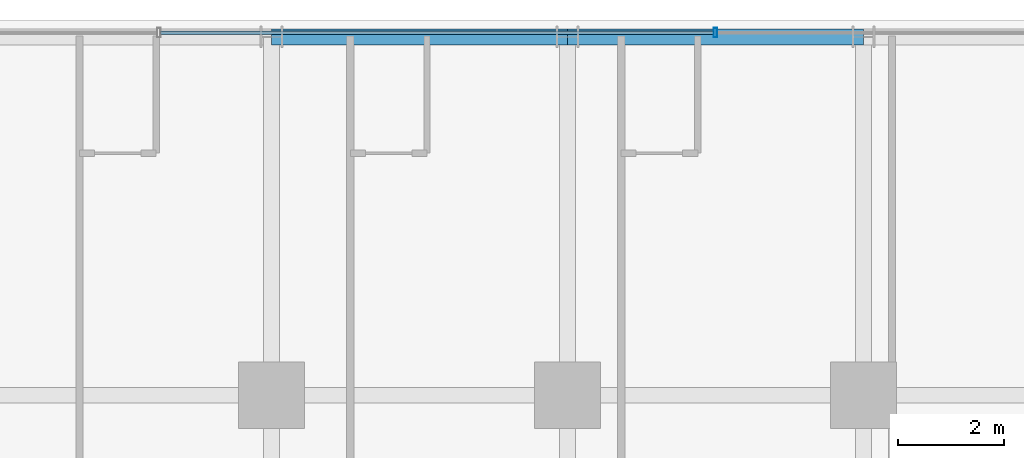
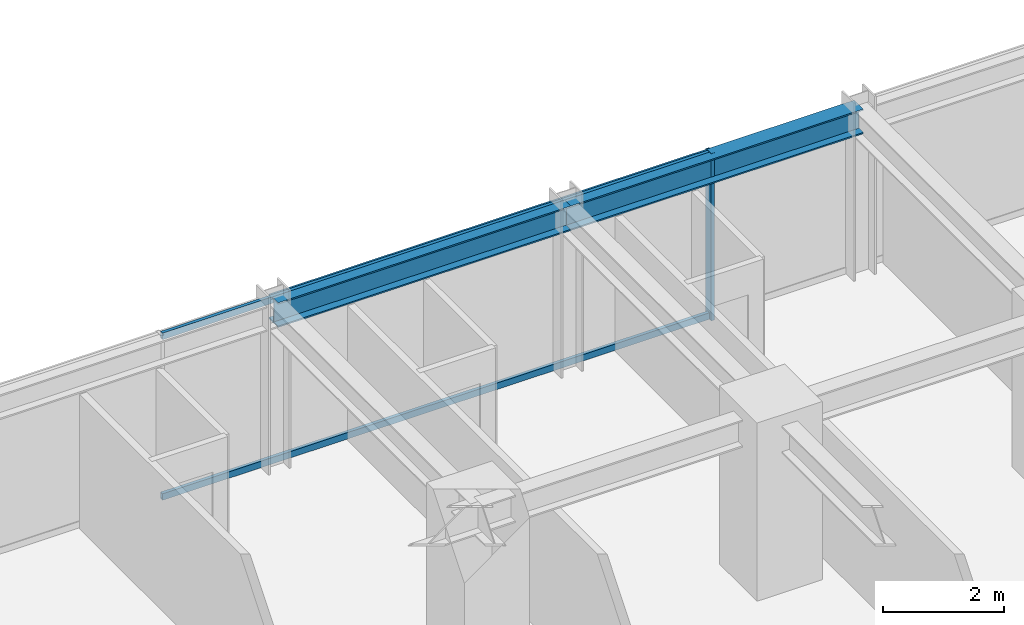
# One storey, part 19 of 31: 3 members, 2 beams, 1 element without a shape of its own.
"""IFC4 building model written with IfcOpenShell, lengths in metres."""

from ifc_helpers import new_model, si_unit, direction, frame, origin, origin_2d, place, context, subcontext, project, spatial, hollow_rectangle, i_section, extrude, source, transform, mapped, material, material_profile, profile_set, type_object, element, aggregate, save


model = new_model("IFC4")

# Units and contexts
model_context = context("Model", 3, precision=1e-05, world=origin(), true_north=direction((0.0, 1.0)))
body_context = subcontext(model_context, "Body", "Model", "MODEL_VIEW")
ifc_project = project(units=[si_unit("LENGTHUNIT", "METRE"), si_unit("AREAUNIT", "SQUARE_METRE"), si_unit("VOLUMEUNIT", "CUBIC_METRE"), si_unit("PLANEANGLEUNIT", "RADIAN"), si_unit("MASSUNIT", "GRAM", prefix="KILO")], contexts=[model_context])

# Site, building, storey
site_placement = place(None, origin())
site = spatial("IfcSite", under=ifc_project, at=site_placement, CompositionType="ELEMENT")
building_placement = place(site_placement, origin())
building = spatial("IfcBuilding", under=site, at=building_placement, Name="Nahalor Promenade Grand Hotel", CompositionType="ELEMENT")
storey_placement = place(building_placement, frame((0.0, 0.0, 95.60009765625)))
storey = spatial("IfcBuildingStorey", under=building, at=storey_placement, Name="L23", CompositionType="ELEMENT", Elevation=95.60009765625)

# Beams
ifc_material_1 = material(Name="Steel S355JR", Category="steel")
ifc_material_profile_1 = material_profile(ifc_material_1, i_section(OverallWidth=0.3, OverallDepth=0.5, WebThickness=0.0145, FlangeThickness=0.028, at=origin_2d()), Name="HEB 500")
ifc_profile_set_1 = profile_set([ifc_material_profile_1], Name="Steel S355JR")
beam_type = type_object("IfcBeamType", Name="Beam-Spandrel-HEB500", PredefinedType="SPANDREL", material=ifc_profile_set_1)
shared_shape_1 = source(origin(), body_context, "Body", "SweptSolid", [
    extrude(i_section(OverallWidth=0.3, OverallDepth=0.5, WebThickness=0.0145, FlangeThickness=0.028, at=origin_2d()), origin(), (0.0, 0.0, 1.0), 5.599853515625),
])
beam_1_placement = place(storey_placement, frame((-8.39990234375, 23.780029296875, 3.1298828125), z_axis=(1.0, 0.0, 0.0), x_axis=(0.0, 1.0, 0.0)))
element("IfcBeam", 1, at=beam_1_placement, inside=storey, type_object=beam_type, Name="BM-L23-SP-N-1", PredefinedType="SPANDREL", context=body_context, shape_type="MappedRepresentation", body=[
    mapped(shared_shape_1, transform((0.0, 0.0, 0.0), scale=1.0)),
])
shared_shape_2 = source(origin(), body_context, "Body", "SweptSolid", [
    extrude(i_section(OverallWidth=0.3, OverallDepth=0.5, WebThickness=0.0145, FlangeThickness=0.028, at=origin_2d()), origin(), (0.0, 0.0, 1.0), 5.60009765625),
])
beam_2_placement = place(storey_placement, frame((-2.800048828125, 23.780029296875, 3.1298828125), z_axis=(1.0, 0.0, 0.0), x_axis=(0.0, 1.0, 0.0)))
element("IfcBeam", 2, at=beam_2_placement, inside=storey, type_object=beam_type, Name="BM-L23-SP-N-2", PredefinedType="SPANDREL", context=body_context, shape_type="MappedRepresentation", body=[
    mapped(shared_shape_2, transform((0.0, 0.0, 0.0), scale=1.0)),
])

# Curtain wall, members
ifc_material_2 = material(Name="Anodised Bronze Aluminium EN AW-6063 T6", Category="aluminium")
curtain_wall_type = type_object("IfcCurtainWallType", Name="CW2 Typical Hotel Flush Bronze Unitised Curtain Wall", PredefinedType="USERDEFINED", material=ifc_material_2)
curtain_wall_placement = place(storey_placement, origin())
curtain_wall = element("IfcCurtainWall", 3, at=curtain_wall_placement, inside=storey, type_object=curtain_wall_type, Name="L23 Curtain Wall CW-L23-N-1", ObjectType="UNITISED_CURTAIN_WALL", PredefinedType="USERDEFINED")
ifc_material_profile_2 = material_profile(ifc_material_2, hollow_rectangle(XDim=0.065, YDim=0.18, WallThickness=0.004, at=origin_2d()), Name="CWM 65x180x4")
ifc_profile_set_2 = profile_set([ifc_material_profile_2], Name="Anodised Bronze Aluminium EN AW-6063 T6")
member_type_1 = type_object("IfcMemberType", Name="CWM2 Typical Bronze Mullion 65x180", PredefinedType="MULLION", material=ifc_profile_set_2)
shared_shape_3 = source(origin(), body_context, "Body", "SweptSolid", [
    extrude(hollow_rectangle(XDim=0.065, YDim=0.18, WallThickness=0.004, at=origin_2d()), origin(), (0.0, 0.0, 1.0), 3.3798828125),
])
member_1_placement = place(storey_placement, frame((0.0, 23.860107421875, 0.0), z_axis=(0.0, 0.0, 1.0), x_axis=(1.0, 0.0, 0.0)))
member_1 = element("IfcMember", 4, at=member_1_placement, type_object=member_type_1, Name="CW-L23-N-1 Mullion 2", PredefinedType="MULLION", context=body_context, shape_type="MappedRepresentation", body=[
    mapped(shared_shape_3, transform((0.0, 0.0, 0.0), scale=1.0)),
])
ifc_material_profile_3 = material_profile(ifc_material_2, hollow_rectangle(XDim=0.065, YDim=0.13, WallThickness=0.004, at=origin_2d()), Name="CWT 65x130x4")
ifc_profile_set_3 = profile_set([ifc_material_profile_3], Name="Anodised Bronze Aluminium EN AW-6063 T6")
member_type_2 = type_object("IfcMemberType", Name="CWT2 Typical Bronze Transom 65x130", PredefinedType="USERDEFINED", material=ifc_profile_set_3)
shared_shape_4 = source(origin(), body_context, "Body", "SweptSolid", [
    extrude(hollow_rectangle(XDim=0.065, YDim=0.13, WallThickness=0.004, at=origin_2d()), origin(), (0.0, 0.0, 1.0), 10.465087890625),
])
member_2_placement = place(storey_placement, frame((-10.49755859375, 23.860107421875, 0.06494140625), z_axis=(1.0, 0.0, 0.0), x_axis=(0.0, 1.0, 0.0)))
member_2 = element("IfcMember", 5, at=member_2_placement, type_object=member_type_2, Name="CW-L23-N-1 Transom 1-0", ObjectType="TRANSOM", PredefinedType="USERDEFINED", context=body_context, shape_type="MappedRepresentation", body=[
    mapped(shared_shape_4, transform((0.0, 0.0, 0.0), scale=1.0)),
])
member_3_placement = place(storey_placement, frame((-10.49755859375, 23.860107421875, 3.31494140625), z_axis=(1.0, 0.0, 0.0), x_axis=(0.0, 1.0, 0.0)))
member_3 = element("IfcMember", 6, at=member_3_placement, type_object=member_type_2, Name="CW-L23-N-1 Transom 1-1", ObjectType="TRANSOM", PredefinedType="USERDEFINED", context=body_context, shape_type="MappedRepresentation", body=[
    mapped(shared_shape_4, transform((0.0, 0.0, 0.0), scale=1.0)),
])
aggregate(curtain_wall, [member_1, member_2, member_3])

save(model, "model.ifc")
